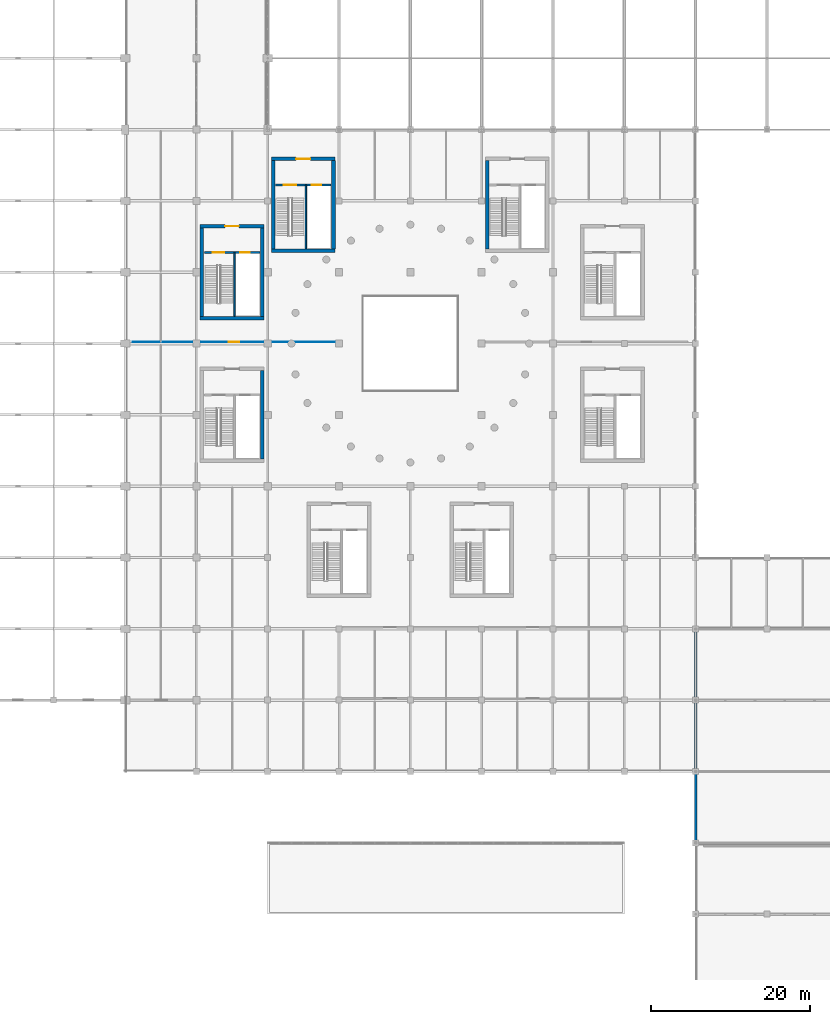
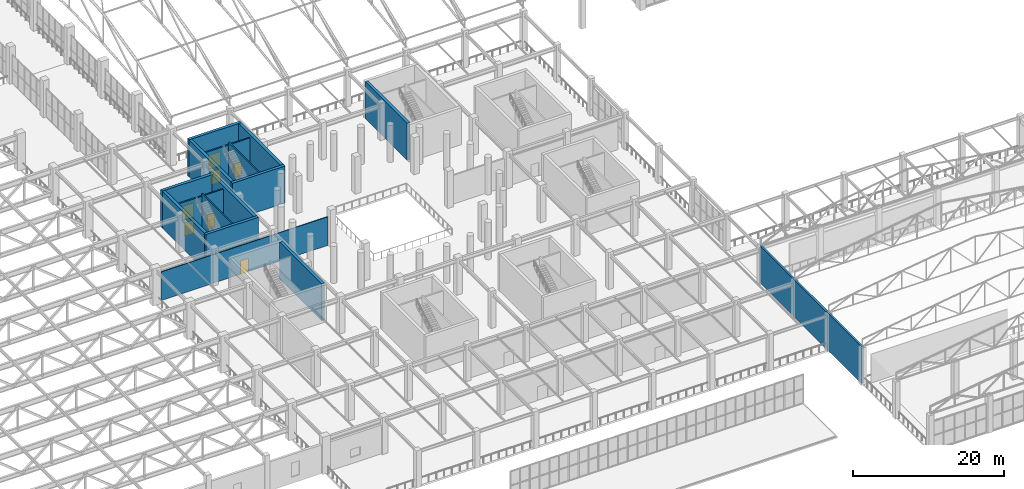
# One storey, part 191 of 223: 16 walls, 7 doors, 7 openings.
"""IFC4 building model written with IfcOpenShell, lengths in metres."""

from ifc_helpers import new_model, si_unit, direction, frame, frame_2d, origin, place, context, subcontext, project, spatial, rectangle, extrude, material, layer, layer_set, type_object, element, fill, save


model = new_model("IFC4")

# Units and contexts
model_context = context("Model", 3, precision=1e-05, world=origin(), true_north=direction((0.0, 1.0)))
body_context = subcontext(model_context, "Body", "Model", "MODEL_VIEW")
ifc_project = project(units=[si_unit("LENGTHUNIT", "METRE"), si_unit("AREAUNIT", "SQUARE_METRE"), si_unit("VOLUMEUNIT", "CUBIC_METRE"), si_unit("PLANEANGLEUNIT", "RADIAN"), si_unit("MASSUNIT", "GRAM", prefix="KILO")], contexts=[model_context])

# Site, building, storey
site_placement = place(None, origin())
site = spatial("IfcSite", under=ifc_project, at=site_placement, CompositionType="ELEMENT")
building_placement = place(site_placement, origin())
building = spatial("IfcBuilding", under=site, at=building_placement, Name="Dornveld Trade and Exhibition Forum", CompositionType="ELEMENT")
storey_placement = place(building_placement, frame((0.0, 0.0, 6.0)))
storey = spatial("IfcBuildingStorey", under=building, at=storey_placement, Name="L01", CompositionType="ELEMENT", Elevation=6.0)

# Walls
ifc_material_1 = material(Name="Concrete C40/50", Category="concrete")
ifc_layer_1 = layer(ifc_material_1, 0.449951171875)
ifc_layer_set_1 = layer_set([ifc_layer_1], Name="Concrete C40/50")
wall_type_1 = type_object("IfcWallType", Name="WL-CORE-450", PredefinedType="SHEAR", material=ifc_layer_set_1)
wall_1_placement = place(storey_placement, frame((126.699951171875, 92.925048828125, 0.0), z_axis=(0.0, 0.0, 1.0), x_axis=(0.0, 1.0, 0.0)))
element("IfcWall", 1, at=wall_1_placement, inside=storey, type_object=wall_type_1, Name="CORE-02 L01 shear wall W", PredefinedType="SHEAR", context=body_context, shape_type="SweptSolid", body=[
    extrude(rectangle(XDim=11.14990234375, YDim=0.449951171875, at=frame_2d((5.574951171875, 0.0))), origin(), (0.0, 0.0, 1.0), 6.0),
])
wall_2_placement = place(storey_placement, frame((99.47509765625, 92.699951171875, 0.0), z_axis=(0.0, 0.0, 1.0), x_axis=(1.0, 0.0, 0.0)))
element("IfcWall", 2, at=wall_2_placement, inside=storey, type_object=wall_type_1, Name="CORE-03 L01 shear wall S", PredefinedType="SHEAR", context=body_context, shape_type="SweptSolid", body=[
    extrude(rectangle(XDim=8.0498046875, YDim=0.449951171875, at=frame_2d((4.02490234375, 0.0))), origin(), (0.0, 0.0, 1.0), 6.0),
])

# Wall, opening, door
wall_3_placement = place(storey_placement, frame((99.47509765625, 104.300048828125, 0.0), z_axis=(0.0, 0.0, 1.0), x_axis=(1.0, 0.0, 0.0)))
wall_3 = element("IfcWall", 3, at=wall_3_placement, inside=storey, type_object=wall_type_1, Name="CORE-03 L01 shear wall N", PredefinedType="SHEAR", context=body_context, shape_type="SweptSolid", body=[
    extrude(rectangle(XDim=8.0498046875, YDim=0.449951171875, at=frame_2d((4.02490234375, 0.0))), origin(), (0.0, 0.0, 1.0), 6.0),
])
opening_1_placement = place(wall_3_placement, frame((3.125, 0.0, 0.0)))
opening_1 = element("IfcOpeningElement", 4, at=opening_1_placement, cuts=wall_3, Name="Opening CD-03-L01", PredefinedType="OPENING", context=body_context, shape_type="SweptSolid", body=[
    extrude(rectangle(XDim=1.800048828125, YDim=2.300048828125, at=frame_2d((0.89990234375, 1.14990234375))), frame((0.0, 0.23486328125, 0.0), z_axis=(0.0, -1.0, 0.0), x_axis=(1.0, 0.0, 0.0)), (0.0, 0.0, 1.0), 0.469970703125),
])
ifc_material_2 = material(Name="Steel fire-rated double door assembly", Category="steel")
door_type_1 = type_object("IfcDoorType", Name="DR-CORE-180x230", OperationType="NOTDEFINED", PredefinedType="DOOR", material=ifc_material_2)
door_1_placement = place(opening_1_placement, origin())
door_1 = element("IfcDoor", 5, at=door_1_placement, inside=storey, type_object=door_type_1, Name="CORE-03 L01 core lobby double fire door", OperationType="DOUBLE_DOOR_SINGLE_SWING", OverallHeight=2.300048828125, OverallWidth=1.800048828125, PredefinedType="DOOR", context=body_context, shape_type="SweptSolid", body=[
    extrude(rectangle(XDim=1.800048828125, YDim=2.300048828125, at=frame_2d((0.89990234375, 1.14990234375))), frame((0.0, 0.02490234375, 0.0), z_axis=(0.0, -1.0, 0.0), x_axis=(1.0, 0.0, 0.0)), (0.0, 0.0, 1.0), 0.050048828125),
])
fill(opening_1, door_1)

# Walls
for number, where, z_axis, x_axis, name in (
    (6, (99.699951171875, 92.925048828125, 0.0), (0.0, 0.0, 1.0), (0.0, 1.0, 0.0), "CORE-03 L01 shear wall W"),
    (7, (107.300048828125, 92.925048828125, 0.0), (0.0, 0.0, 1.0), (0.0, 1.0, 0.0), "CORE-03 L01 shear wall E"),
):
    element("IfcWall", number, at=place(storey_placement, frame(where, z_axis=z_axis, x_axis=x_axis)), inside=storey, type_object=wall_type_1, Name=name, PredefinedType="SHEAR", context=body_context, shape_type="SweptSolid", body=[
        extrude(rectangle(XDim=11.14990234375, YDim=0.449951171875, at=frame_2d((5.574951171875, 0.0))), origin(), (0.0, 0.0, 1.0), 6.0),
    ])
wall_4_placement = place(storey_placement, frame((90.47509765625, 84.199951171875, 0.0), z_axis=(0.0, 0.0, 1.0), x_axis=(1.0, 0.0, 0.0)))
element("IfcWall", 8, at=wall_4_placement, inside=storey, type_object=wall_type_1, Name="CORE-04 L01 shear wall S", PredefinedType="SHEAR", context=body_context, shape_type="SweptSolid", body=[
    extrude(rectangle(XDim=8.0498046875, YDim=0.449951171875, at=frame_2d((4.02490234375, 0.0))), origin(), (0.0, 0.0, 1.0), 6.0),
])

# Wall, opening, door
wall_5_placement = place(storey_placement, frame((90.47509765625, 95.800048828125, 0.0), z_axis=(0.0, 0.0, 1.0), x_axis=(1.0, 0.0, 0.0)))
wall_5 = element("IfcWall", 9, at=wall_5_placement, inside=storey, type_object=wall_type_1, Name="CORE-04 L01 shear wall N", PredefinedType="SHEAR", context=body_context, shape_type="SweptSolid", body=[
    extrude(rectangle(XDim=8.0498046875, YDim=0.449951171875, at=frame_2d((4.02490234375, 0.0))), origin(), (0.0, 0.0, 1.0), 6.0),
])
opening_2_placement = place(wall_5_placement, frame((3.14990234375, 0.0, 0.0)))
opening_2 = element("IfcOpeningElement", 10, at=opening_2_placement, cuts=wall_5, Name="Opening CD-04-L01", PredefinedType="OPENING", context=body_context, shape_type="SweptSolid", body=[
    extrude(rectangle(XDim=1.75, YDim=2.300048828125, at=frame_2d((0.875, 1.14990234375))), frame((0.0, 0.23486328125, 0.0), z_axis=(0.0, -1.0, 0.0), x_axis=(1.0, 0.0, 0.0)), (0.0, 0.0, 1.0), 0.469970703125),
])
ifc_material_3 = material(Name="Steel fire-rated double door assembly", Category="steel")
door_type_2 = type_object("IfcDoorType", Name="DR-CORE-175x230", OperationType="NOTDEFINED", PredefinedType="DOOR", material=ifc_material_3)
door_2_placement = place(opening_2_placement, origin())
door_2 = element("IfcDoor", 11, at=door_2_placement, inside=storey, type_object=door_type_2, Name="CORE-04 L01 core lobby double fire door", OperationType="DOUBLE_DOOR_SINGLE_SWING", OverallHeight=2.300048828125, OverallWidth=1.75, PredefinedType="DOOR", context=body_context, shape_type="SweptSolid", body=[
    extrude(rectangle(XDim=1.75, YDim=2.300048828125, at=frame_2d((0.875, 1.14990234375))), frame((0.0, 0.02490234375, 0.0), z_axis=(0.0, -1.0, 0.0), x_axis=(1.0, 0.0, 0.0)), (0.0, 0.0, 1.0), 0.050048828125),
])
fill(opening_2, door_2)

# Walls
for number, where, z_axis, x_axis, name in (
    (12, (90.699951171875, 84.425048828125, 0.0), (0.0, 0.0, 1.0), (0.0, 1.0, 0.0), "CORE-04 L01 shear wall W"),
    (13, (98.300048828125, 84.425048828125, 0.0), (0.0, 0.0, 1.0), (0.0, 1.0, 0.0), "CORE-04 L01 shear wall E"),
    (14, (98.300048828125, 66.425048828125, 0.0), (0.0, 0.0, 1.0), (0.0, 1.0, 0.0), "CORE-05 L01 shear wall E"),
):
    element("IfcWall", number, at=place(storey_placement, frame(where, z_axis=z_axis, x_axis=x_axis)), inside=storey, type_object=wall_type_1, Name=name, PredefinedType="SHEAR", context=body_context, shape_type="SweptSolid", body=[
        extrude(rectangle(XDim=11.14990234375, YDim=0.449951171875, at=frame_2d((5.574951171875, 0.0))), origin(), (0.0, 0.0, 1.0), 6.0),
    ])
ifc_material_4 = material(Name="Concrete C40/50", Category="concrete")
ifc_layer_2 = layer(ifc_material_4, 0.300048828125)
ifc_layer_set_2 = layer_set([ifc_layer_2], Name="Concrete C40/50")
wall_type_2 = type_object("IfcWallType", Name="WL-DIV-300", PredefinedType="SHEAR", material=ifc_layer_set_2)
wall_6_placement = place(storey_placement, frame((153.0, 18.0, 0.0), z_axis=(0.0, 0.0, 1.0), x_axis=(0.0, 1.0, 0.0)))
element("IfcWall", 15, at=wall_6_placement, inside=storey, type_object=wall_type_2, Name="L01 fire division shear wall 8", PredefinedType="SHEAR", context=body_context, shape_type="SweptSolid", body=[
    extrude(rectangle(XDim=27.0, YDim=0.300048828125, at=frame_2d((13.5, 0.0))), origin(), (0.0, 0.0, 1.0), 6.0),
])

# Wall, openings, doors
ifc_material_5 = material(Name="Concrete C40/50", Category="concrete")
ifc_layer_3 = layer(ifc_material_5, 0.219970703125)
ifc_layer_set_3 = layer_set([ifc_layer_3], Name="Concrete C40/50")
wall_type_3 = type_object("IfcWallType", Name="WL-INT-LOB220", PredefinedType="SOLIDWALL", material=ifc_layer_set_3)
wall_7_placement = place(storey_placement, frame((100.0, 101.0, 0.0), z_axis=(0.0, 0.0, 1.0), x_axis=(1.0, 0.0, 0.0)))
wall_7 = element("IfcWall", 16, at=wall_7_placement, inside=storey, type_object=wall_type_3, Name="CORE-03 L01 protected lobby bulkhead wall", PredefinedType="SOLIDWALL", context=body_context, shape_type="SweptSolid", body=[
    extrude(rectangle(XDim=7.0, YDim=0.219970703125, at=frame_2d((3.5, 0.0))), origin(), (0.0, 0.0, 1.0), 5.6201171875),
])
opening_3_placement = place(wall_7_placement, frame((1.050048828125, 0.0, 0.0)))
opening_3 = element("IfcOpeningElement", 17, at=opening_3_placement, cuts=wall_7, Name="Opening SD-03-L01", PredefinedType="OPENING", context=body_context, shape_type="SweptSolid", body=[
    extrude(rectangle(XDim=1.550048828125, YDim=2.199951171875, at=frame_2d((0.77490234375, 1.10009765625))), frame((0.0, 0.119873046875, 0.0), z_axis=(0.0, -1.0, 0.0), x_axis=(1.0, 0.0, 0.0)), (0.0, 0.0, 1.0), 0.239990234375),
])
opening_4_placement = place(wall_7_placement, frame((4.550048828125, 0.0, 0.0)))
opening_4 = element("IfcOpeningElement", 18, at=opening_4_placement, cuts=wall_7, Name="Opening LD-03-L01", PredefinedType="OPENING", context=body_context, shape_type="SweptSolid", body=[
    extrude(rectangle(XDim=1.199951171875, YDim=2.199951171875, at=frame_2d((0.60009765625, 1.10009765625))), frame((0.0, 0.119873046875, 0.0), z_axis=(0.0, -1.0, 0.0), x_axis=(1.0, 0.0, 0.0)), (0.0, 0.0, 1.0), 0.239990234375),
])
ifc_material_6 = material(Name="Brushed stainless steel sliding lift landing door", Category="steel")
door_type_3 = type_object("IfcDoorType", Name="DR-LIFT-120x220", OperationType="NOTDEFINED", PredefinedType="DOOR", material=ifc_material_6)
door_3_placement = place(opening_4_placement, origin())
door_3 = element("IfcDoor", 19, at=door_3_placement, inside=storey, type_object=door_type_3, Name="CORE-03 L01 lift sliding landing door", OperationType="SLIDING_TO_LEFT", OverallHeight=2.199951171875, OverallWidth=1.199951171875, PredefinedType="DOOR", context=body_context, shape_type="SweptSolid", body=[
    extrude(rectangle(XDim=1.199951171875, YDim=2.199951171875, at=frame_2d((0.60009765625, 1.10009765625))), frame((0.0, 0.02490234375, 0.0), z_axis=(0.0, -1.0, 0.0), x_axis=(1.0, 0.0, 0.0)), (0.0, 0.0, 1.0), 0.050048828125),
])
fill(opening_4, door_3)
ifc_material_7 = material(Name="Steel fire-rated stair door assembly", Category="steel")
door_type_4 = type_object("IfcDoorType", Name="DR-STAIR-155x220", OperationType="NOTDEFINED", PredefinedType="DOOR", material=ifc_material_7)
door_4_placement = place(opening_3_placement, origin())
door_4 = element("IfcDoor", 20, at=door_4_placement, inside=storey, type_object=door_type_4, Name="CORE-03 L01 protected stair door", OperationType="SINGLE_SWING_LEFT", OverallHeight=2.199951171875, OverallWidth=1.550048828125, PredefinedType="DOOR", context=body_context, shape_type="SweptSolid", body=[
    extrude(rectangle(XDim=1.550048828125, YDim=2.199951171875, at=frame_2d((0.77490234375, 1.10009765625))), frame((0.0, 0.02490234375, 0.0), z_axis=(0.0, -1.0, 0.0), x_axis=(1.0, 0.0, 0.0)), (0.0, 0.0, 1.0), 0.050048828125),
])
fill(opening_3, door_4)

wall_8_placement = place(storey_placement, frame((91.0, 92.5, 0.0), z_axis=(0.0, 0.0, 1.0), x_axis=(1.0, 0.0, 0.0)))
wall_8 = element("IfcWall", 21, at=wall_8_placement, inside=storey, type_object=wall_type_3, Name="CORE-04 L01 protected lobby bulkhead wall", PredefinedType="SOLIDWALL", context=body_context, shape_type="SweptSolid", body=[
    extrude(rectangle(XDim=7.0, YDim=0.219970703125, at=frame_2d((3.5, 0.0))), origin(), (0.0, 0.0, 1.0), 5.6201171875),
])
opening_5_placement = place(wall_8_placement, frame((1.050048828125, 0.0, 0.0)))
opening_5 = element("IfcOpeningElement", 22, at=opening_5_placement, cuts=wall_8, Name="Opening SD-04-L01", PredefinedType="OPENING", context=body_context, shape_type="SweptSolid", body=[
    extrude(rectangle(XDim=1.5, YDim=2.199951171875, at=frame_2d((0.75, 1.10009765625))), frame((0.0, 0.119873046875, 0.0), z_axis=(0.0, -1.0, 0.0), x_axis=(1.0, 0.0, 0.0)), (0.0, 0.0, 1.0), 0.239990234375),
])
opening_6_placement = place(wall_8_placement, frame((4.550048828125, 0.0, 0.0)))
opening_6 = element("IfcOpeningElement", 23, at=opening_6_placement, cuts=wall_8, Name="Opening LD-04-L01", PredefinedType="OPENING", context=body_context, shape_type="SweptSolid", body=[
    extrude(rectangle(XDim=1.199951171875, YDim=2.199951171875, at=frame_2d((0.60009765625, 1.10009765625))), frame((0.0, 0.119873046875, 0.0), z_axis=(0.0, -1.0, 0.0), x_axis=(1.0, 0.0, 0.0)), (0.0, 0.0, 1.0), 0.239990234375),
])
door_5_placement = place(opening_6_placement, origin())
door_5 = element("IfcDoor", 24, at=door_5_placement, inside=storey, type_object=door_type_3, Name="CORE-04 L01 lift sliding landing door", OperationType="SLIDING_TO_RIGHT", OverallHeight=2.199951171875, OverallWidth=1.199951171875, PredefinedType="DOOR", context=body_context, shape_type="SweptSolid", body=[
    extrude(rectangle(XDim=1.199951171875, YDim=2.199951171875, at=frame_2d((0.60009765625, 1.10009765625))), frame((0.0, 0.02490234375, 0.0), z_axis=(0.0, -1.0, 0.0), x_axis=(1.0, 0.0, 0.0)), (0.0, 0.0, 1.0), 0.050048828125),
])
fill(opening_6, door_5)
ifc_material_8 = material(Name="Steel fire-rated stair door assembly", Category="steel")
door_type_5 = type_object("IfcDoorType", Name="DR-STAIR-150x220", OperationType="NOTDEFINED", PredefinedType="DOOR", material=ifc_material_8)
door_6_placement = place(opening_5_placement, origin())
door_6 = element("IfcDoor", 25, at=door_6_placement, inside=storey, type_object=door_type_5, Name="CORE-04 L01 protected stair door", OperationType="SINGLE_SWING_RIGHT", OverallHeight=2.199951171875, OverallWidth=1.5, PredefinedType="DOOR", context=body_context, shape_type="SweptSolid", body=[
    extrude(rectangle(XDim=1.5, YDim=2.199951171875, at=frame_2d((0.75, 1.10009765625))), frame((0.0, 0.02490234375, 0.0), z_axis=(0.0, -1.0, 0.0), x_axis=(1.0, 0.0, 0.0)), (0.0, 0.0, 1.0), 0.050048828125),
])
fill(opening_5, door_6)

# Walls
ifc_material_9 = material(Name="Concrete C40/50", Category="concrete")
ifc_layer_4 = layer(ifc_material_9, 0.199951171875)
ifc_layer_set_4 = layer_set([ifc_layer_4], Name="Concrete C40/50")
wall_type_4 = type_object("IfcWallType", Name="WL-INT-SHAFT200", PredefinedType="SOLIDWALL", material=ifc_layer_set_4)
for number, where, z_axis, x_axis, name in (
    (26, (103.820068359375, 92.949951171875, 0.0), (0.0, 0.0, 1.0), (0.0, 1.0, 0.0), "CORE-03 L01 lift-stair structural shaft wall"),
    (27, (94.820068359375, 84.449951171875, 0.0), (0.0, 0.0, 1.0), (0.0, 1.0, 0.0), "CORE-04 L01 lift-stair structural shaft wall"),
):
    element("IfcWall", number, at=place(storey_placement, frame(where, z_axis=z_axis, x_axis=x_axis)), inside=storey, type_object=wall_type_4, Name=name, PredefinedType="SOLIDWALL", context=body_context, shape_type="SweptSolid", body=[
        extrude(rectangle(XDim=8.0, YDim=0.199951171875, at=frame_2d((4.0, 0.0))), origin(), (0.0, 0.0, 1.0), 6.0),
    ])

# Wall, opening, door
ifc_material_10 = material(Name="Moisture-resistant wet-room partition", Category="gypsum")
ifc_layer_5 = layer(ifc_material_10, 0.114990234375)
ifc_layer_set_5 = layer_set([ifc_layer_5], Name="Moisture-resistant wet-room partition")
wall_type_5 = type_object("IfcWallType", Name="WL-INT-WC115", PredefinedType="PARTITIONING", material=ifc_layer_set_5)
wall_9_placement = place(storey_placement, frame((81.97998046875, 81.199951171875, 0.0), z_axis=(0.0, 0.0, 1.0), x_axis=(1.0, 0.0, 0.0)))
wall_9 = element("IfcWall", 28, at=wall_9_placement, inside=storey, type_object=wall_type_5, Name="L01 interior partition 107", PredefinedType="PARTITIONING", context=body_context, shape_type="SweptSolid", body=[
    extrude(rectangle(XDim=25.5400390625, YDim=0.114990234375, at=frame_2d((12.77001953125, 0.0))), origin(), (0.0, 0.0, 1.0), 4.639892578125),
])
opening_7_placement = place(wall_9_placement, frame((12.1298828125, 0.0, 0.0)))
opening_7 = element("IfcOpeningElement", 29, at=opening_7_placement, cuts=wall_9, Name="Opening MSD-11-071", PredefinedType="OPENING", context=body_context, shape_type="SweptSolid", body=[
    extrude(rectangle(XDim=1.280029296875, YDim=2.179931640625, at=frame_2d((0.64013671875, 1.08984375))), frame((0.0, 0.0673828125, 0.0), z_axis=(0.0, -1.0, 0.0), x_axis=(1.0, 0.0, 0.0)), (0.0, 0.0, 1.0), 0.135009765625),
])
ifc_material_11 = material(Name="Solid-core administration door", Category="wood")
door_type_6 = type_object("IfcDoorType", Name="DR-SUB-128x218", OperationType="NOTDEFINED", PredefinedType="DOOR", material=ifc_material_11)
door_7_placement = place(opening_7_placement, origin())
door_7 = element("IfcDoor", 30, at=door_7_placement, inside=storey, type_object=door_type_6, Name="L01 interior room door 71", OperationType="SINGLE_SWING_LEFT", OverallHeight=2.179931640625, OverallWidth=1.280029296875, PredefinedType="DOOR", context=body_context, shape_type="SweptSolid", body=[
    extrude(rectangle(XDim=1.280029296875, YDim=2.179931640625, at=frame_2d((0.64013671875, 1.08984375))), frame((0.0, 0.02490234375, 0.0), z_axis=(0.0, -1.0, 0.0), x_axis=(1.0, 0.0, 0.0)), (0.0, 0.0, 1.0), 0.050048828125),
])
fill(opening_7, door_7)

save(model, "model.ifc")
